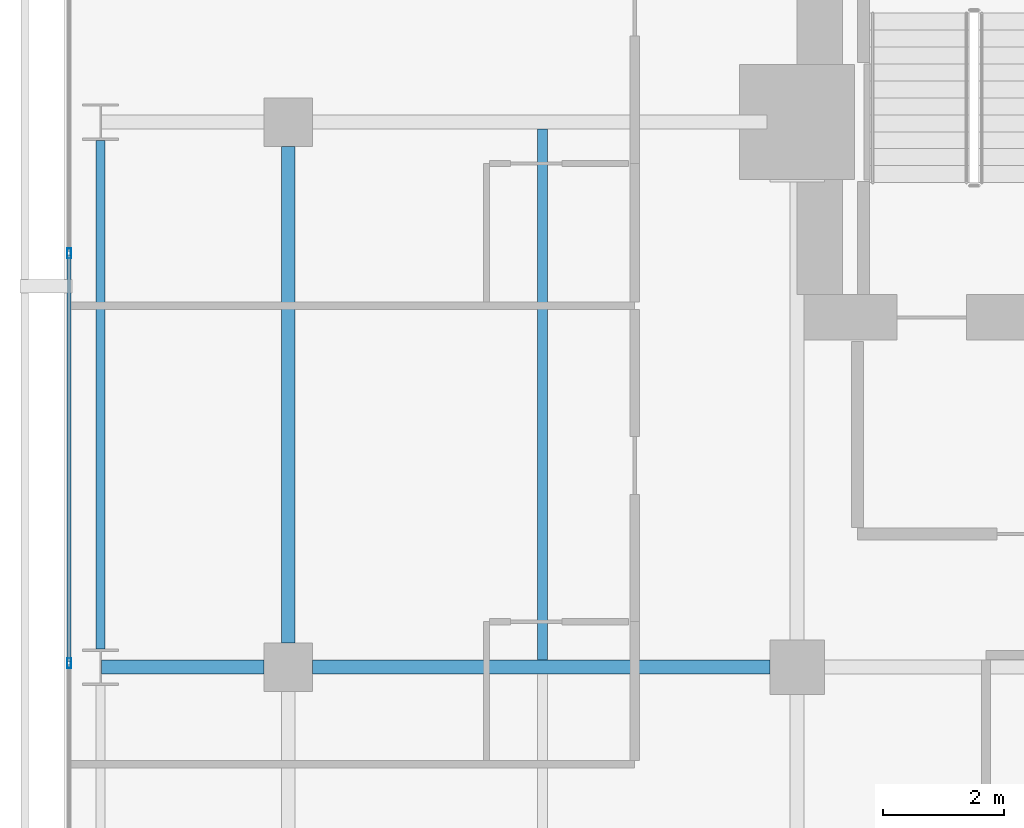
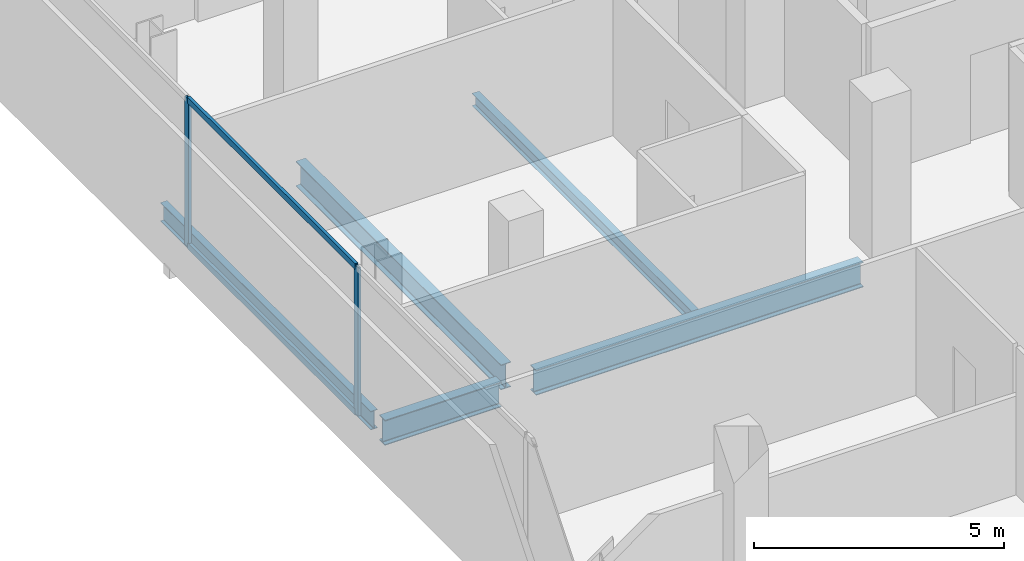
# One storey, part 18 of 34: 5 beams, 4 members, 1 element without a shape of its own.
"""IFC4 building model written with IfcOpenShell, lengths in metres."""

from ifc_helpers import new_model, si_unit, direction, frame, origin, origin_2d, place, context, subcontext, project, spatial, hollow_rectangle, i_section, extrude, material, layer, layer_set, material_profile, profile_set, type_object, element, aggregate, save


model = new_model("IFC4")

# Units and contexts
model_context = context("Model", 3, precision=1e-05, world=origin(), true_north=direction((0.0, 1.0)))
body_context = subcontext(model_context, "Body", "Model", "MODEL_VIEW")
ifc_project = project(units=[si_unit("LENGTHUNIT", "METRE"), si_unit("AREAUNIT", "SQUARE_METRE"), si_unit("VOLUMEUNIT", "CUBIC_METRE"), si_unit("PLANEANGLEUNIT", "RADIAN"), si_unit("MASSUNIT", "GRAM", prefix="KILO")], contexts=[model_context])

# Site, building, storey
site_placement = place(None, origin())
site = spatial("IfcSite", under=ifc_project, at=site_placement, CompositionType="ELEMENT")
building_placement = place(site_placement, origin())
building = spatial("IfcBuilding", under=site, at=building_placement, Name="Maruvema Waterfront Hotel and Observation Tower", CompositionType="ELEMENT")
storey_placement = place(building_placement, frame((0.0, 0.0, 131.25)))
storey = spatial("IfcBuildingStorey", under=building, at=storey_placement, Name="L31", CompositionType="ELEMENT", Elevation=131.25)

# Curtain wall, members
ifc_material_1 = material(Name="Anodised bronze aluminium and solar-control low-E IGU", Category="aluminium")
ifc_layer = layer(ifc_material_1, 0.159912109375, Name="Zone 2 Amber Inner Thermal Curtain Wall System CW-03")
ifc_layer_set = layer_set([ifc_layer], Name="Anodised bronze aluminium and solar-control low-E IGU")
curtain_wall_type = type_object("IfcCurtainWallType", Name="Zone 2 Amber Inner Thermal Curtain Wall System CW-03", PredefinedType="USERDEFINED", material=ifc_layer_set)
curtain_wall_placement = place(storey_placement, origin())
curtain_wall = element("IfcCurtainWall", 1, at=curtain_wall_placement, inside=storey, type_object=curtain_wall_type, Name="L31 Curtain Wall CW-L31-W", ObjectType="UNITISED CURTAIN WALL", PredefinedType="USERDEFINED")
ifc_material_2 = material(Name="Anodised architectural bronze aluminium", Category="aluminium")
ifc_material_profile_1 = material_profile(ifc_material_2, hollow_rectangle(XDim=0.070068359375, YDim=0.14990234375, WallThickness=0.00390625, at=origin_2d()), Name="ALU-T70x150")
ifc_profile_set_1 = profile_set([ifc_material_profile_1], Name="Anodised architectural bronze aluminium")
member_type_1 = type_object("IfcMemberType", Name="Curtain Wall Horizontal Transom ALU-T70x150", PredefinedType="USERDEFINED", material=ifc_profile_set_1)
member_1_placement = place(storey_placement, frame((13.179931640625, 42.80322265625, 0.030029296875), z_axis=(0.0, -1.0, 0.0), x_axis=(1.0, 0.0, 0.0)))
member_1 = element("IfcMember", 2, at=member_1_placement, type_object=member_type_1, Name="CW-03 transom 2.1", ObjectType="TRANSOM", PredefinedType="USERDEFINED", context=body_context, shape_type="SweptSolid", body=[
    extrude(hollow_rectangle(XDim=0.070068359375, YDim=0.14990234375, WallThickness=0.00390625, at=origin_2d()), origin(), (0.0, 0.0, 1.0), 6.70654296875),
])
member_2_placement = place(storey_placement, frame((13.179931640625, 42.80322265625, 3.580078125), z_axis=(0.0, -1.0, 0.0), x_axis=(1.0, 0.0, 0.0)))
member_2 = element("IfcMember", 3, at=member_2_placement, type_object=member_type_1, Name="CW-03 transom 2.2", ObjectType="TRANSOM", PredefinedType="USERDEFINED", context=body_context, shape_type="SweptSolid", body=[
    extrude(hollow_rectangle(XDim=0.070068359375, YDim=0.14990234375, WallThickness=0.00390625, at=origin_2d()), origin(), (0.0, 0.0, 1.0), 6.70654296875),
])
ifc_material_3 = material(Name="Anodised architectural bronze aluminium", Category="aluminium")
ifc_material_profile_2 = material_profile(ifc_material_3, hollow_rectangle(XDim=0.06494140625, YDim=0.1650390625, WallThickness=0.00390625, at=origin_2d()), Name="ALU-M65x165")
ifc_profile_set_2 = profile_set([ifc_material_profile_2], Name="Anodised architectural bronze aluminium")
member_type_2 = type_object("IfcMemberType", Name="Curtain Wall Primary Mullion ALU-M65x165", PredefinedType="MULLION", material=ifc_profile_set_2)
member_3_placement = place(storey_placement, frame((13.179931640625, 42.833251953125, 0.0), z_axis=(0.0, 0.0, 1.0), x_axis=(1.0, 0.0, 0.0)))
member_3 = element("IfcMember", 4, at=member_3_placement, type_object=member_type_2, Name="CW-03 mullion 2", PredefinedType="MULLION", context=body_context, shape_type="SweptSolid", body=[
    extrude(hollow_rectangle(XDim=0.06494140625, YDim=0.1650390625, WallThickness=0.00390625, at=origin_2d()), origin(), (0.0, 0.0, 1.0), 3.610107421875),
])
member_4_placement = place(storey_placement, frame((13.179931640625, 36.066650390625, 0.0), z_axis=(0.0, 0.0, 1.0), x_axis=(1.0, 0.0, 0.0)))
member_4 = element("IfcMember", 5, at=member_4_placement, type_object=member_type_2, Name="CW-03 mullion 3", PredefinedType="MULLION", context=body_context, shape_type="SweptSolid", body=[
    extrude(hollow_rectangle(XDim=0.06494140625, YDim=0.1650390625, WallThickness=0.00390625, at=origin_2d()), origin(), (0.0, 0.0, 1.0), 3.610107421875),
])
aggregate(curtain_wall, [member_3, member_4, member_1, member_2])

# Beams
ifc_material_4 = material(Name="Steel ASTM A572 Grade 50", Category="steel")
ifc_material_profile_3 = material_profile(ifc_material_4, i_section(OverallWidth=0.153076171875, OverallDepth=0.455078125, WebThickness=0.008056640625, FlangeThickness=0.01318359375, FilletRadius=0.014892578125, at=origin_2d()), Name="W460x60.0")
ifc_profile_set_3 = profile_set([ifc_material_profile_3], Name="Steel ASTM A572 Grade 50")
beam_type_1 = type_object("IfcBeamType", Name="Perimeter Spandrel Beam W460x60.0", PredefinedType="SPANDREL", material=ifc_profile_set_3)
beam_1_placement = place(storey_placement, frame((13.699951171875, 36.300048828125, -0.467529296875), z_axis=(0.0, 1.0, 0.0), x_axis=(-1.0, 0.0, 0.0)))
element("IfcBeam", 6, at=beam_1_placement, inside=storey, type_object=beam_type_1, Name="L31 Floor Girder NS-04", PredefinedType="SPANDREL", context=body_context, shape_type="SweptSolid", body=[
    extrude(i_section(OverallWidth=0.153076171875, OverallDepth=0.455078125, WebThickness=0.008056640625, FlangeThickness=0.01318359375, FilletRadius=0.014892578125, at=origin_2d()), origin(), (0.0, 0.0, 1.0), 8.39990234375),
])
ifc_material_5 = material(Name="Steel ASTM A572 Grade 50", Category="steel")
ifc_material_profile_4 = material_profile(ifc_material_5, i_section(OverallWidth=0.22900390625, OverallDepth=0.612060546875, WebThickness=0.011962890625, FlangeThickness=0.01953125, FilletRadius=0.01806640625, at=origin_2d()), Name="W610x125.0")
ifc_profile_set_4 = profile_set([ifc_material_profile_4], Name="Steel ASTM A572 Grade 50")
beam_type_2 = type_object("IfcBeamType", Name="Primary Floor Girder W610x125.0", PredefinedType="BEAM", material=ifc_profile_set_4)
beam_2_placement = place(storey_placement, frame((13.71240234375, 36.0, -0.5458984375), z_axis=(1.0, 0.0, 0.0), x_axis=(0.0, 1.0, 0.0)))
element("IfcBeam", 7, at=beam_2_placement, inside=storey, type_object=beam_type_2, Name="L31 Floor Girder EW-23", PredefinedType="BEAM", context=body_context, shape_type="SweptSolid", body=[
    extrude(i_section(OverallWidth=0.22900390625, OverallDepth=0.612060546875, WebThickness=0.011962890625, FlangeThickness=0.01953125, FilletRadius=0.01806640625, at=origin_2d()), origin(), (0.0, 0.0, 1.0), 2.6875),
])
beam_3_placement = place(storey_placement, frame((17.199951171875, 36.0, -0.5458984375), z_axis=(1.0, 0.0, 0.0), x_axis=(0.0, 1.0, 0.0)))
element("IfcBeam", 8, at=beam_3_placement, inside=storey, type_object=beam_type_2, Name="L31 Floor Girder EW-24", PredefinedType="BEAM", context=body_context, shape_type="SweptSolid", body=[
    extrude(i_section(OverallWidth=0.22900390625, OverallDepth=0.612060546875, WebThickness=0.011962890625, FlangeThickness=0.01953125, FilletRadius=0.01806640625, at=origin_2d()), origin(), (0.0, 0.0, 1.0), 7.550048828125),
])
beam_4_placement = place(storey_placement, frame((16.800048828125, 36.39990234375, -0.5458984375), z_axis=(0.0, 1.0, 0.0), x_axis=(-1.0, 0.0, 0.0)))
element("IfcBeam", 9, at=beam_4_placement, inside=storey, type_object=beam_type_2, Name="L31 Floor Girder NS-08", PredefinedType="BEAM", context=body_context, shape_type="SweptSolid", body=[
    extrude(i_section(OverallWidth=0.22900390625, OverallDepth=0.612060546875, WebThickness=0.011962890625, FlangeThickness=0.01953125, FilletRadius=0.01806640625, at=origin_2d()), origin(), (0.0, 0.0, 1.0), 8.2001953125),
])
ifc_material_6 = material(Name="Steel ASTM A572 Grade 50", Category="steel")
ifc_material_profile_5 = material_profile(ifc_material_6, i_section(OverallWidth=0.1650390625, OverallDepth=0.31005859375, WebThickness=0.005859375, FlangeThickness=0.009765625, FilletRadius=0.012939453125, at=origin_2d()), Name="W310x38.7")
ifc_profile_set_5 = profile_set([ifc_material_profile_5], Name="Steel ASTM A572 Grade 50")
beam_type_3 = type_object("IfcBeamType", Name="Secondary Floor Joist W310x38.7", PredefinedType="JOIST", material=ifc_profile_set_5)
beam_5_placement = place(storey_placement, frame((21.0, 36.114501953125, -0.39501953125), z_axis=(0.0, 1.0, 0.0), x_axis=(-1.0, 0.0, 0.0)))
element("IfcBeam", 10, at=beam_5_placement, inside=storey, type_object=beam_type_3, Name="L31 Secondary Floor Joist JS-04", PredefinedType="JOIST", context=body_context, shape_type="SweptSolid", body=[
    extrude(i_section(OverallWidth=0.1650390625, OverallDepth=0.31005859375, WebThickness=0.005859375, FlangeThickness=0.009765625, FilletRadius=0.012939453125, at=origin_2d()), origin(), (0.0, 0.0, 1.0), 8.77099609375),
])

save(model, "model.ifc")
